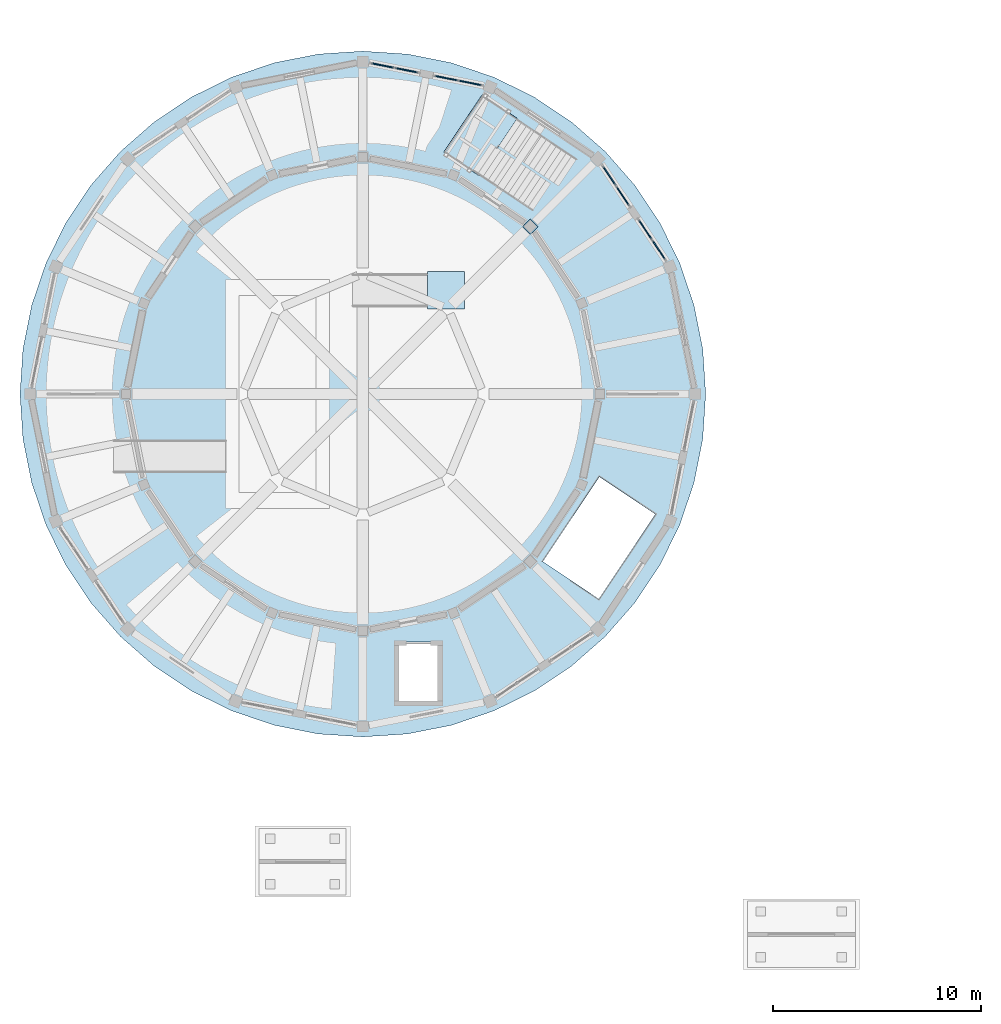
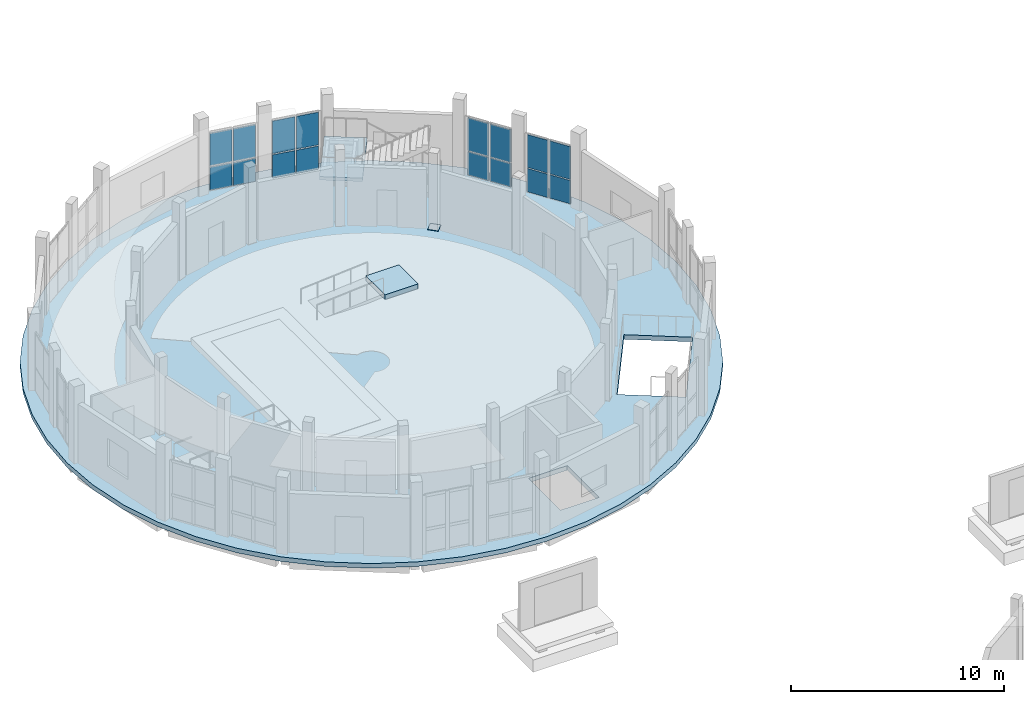
# One storey, part 55 of 92: 17 plates, 3 slabs, 5 elements without a shape of their own.
"""IFC4 building model written with IfcOpenShell, lengths in metres."""

from ifc_helpers import new_model, si_unit, direction, frame, origin, origin_2d, place, context, subcontext, project, spatial, polyline, rectangle, outline, extrude, material, layer, layer_set, type_object, element, aggregate, save


model = new_model("IFC4")

# Units and contexts
model_context = context("Model", 3, precision=1e-05, world=origin(), true_north=direction((0.0, 1.0)))
body_context = subcontext(model_context, "Body", "Model", "MODEL_VIEW")
ifc_project = project(units=[si_unit("LENGTHUNIT", "METRE"), si_unit("AREAUNIT", "SQUARE_METRE"), si_unit("VOLUMEUNIT", "CUBIC_METRE"), si_unit("PLANEANGLEUNIT", "RADIAN"), si_unit("MASSUNIT", "GRAM", prefix="KILO")], contexts=[model_context])

# Site, building, storey
site_placement = place(None, origin())
site = spatial("IfcSite", under=ifc_project, at=site_placement, CompositionType="ELEMENT")
building_placement = place(site_placement, origin())
building = spatial("IfcBuilding", under=site, at=building_placement, Name="Caldaven Crescent School", CompositionType="ELEMENT")
storey_placement = place(building_placement, origin())
storey = spatial("IfcBuildingStorey", under=building, at=storey_placement, Name="L00", CompositionType="ELEMENT", Elevation=0.0)

# Plate
ifc_material_1 = material(Name="Steel ASTM A572 Grade 50", Category="steel")
ifc_layer_1 = layer(ifc_material_1, 0.02001953125)
ifc_layer_set_1 = layer_set([ifc_layer_1], Name="Steel ASTM A572 Grade 50")
plate_type_1 = type_object("IfcPlateType", Name="PLT-BAS1", PredefinedType="SHEET", material=ifc_layer_set_1)
plate_1_placement = place(storey_placement, frame((31.56103515625, 106.56103515625, 0.0), z_axis=(0.0, 0.0, 1.0), x_axis=(0.707106781187, 0.707106781187, 0.0)))
element("IfcPlate", 1, at=plate_1_placement, inside=storey, type_object=plate_type_1, Name="PLT-BAS-V2-02", PredefinedType="SHEET", context=body_context, shape_type="SweptSolid", body=[
    extrude(rectangle(XDim=0.52001953125, YDim=0.52001953125, at=origin_2d()), origin(), (0.0, 0.0, 1.0), 0.02001953125),
])

# Curtain wall, plates
ifc_material_2 = material(Name="Anodised aluminium AA 6063-T6 and low-E double glazing", Category="aluminium")
ifc_layer_2 = layer(ifc_material_2, 0.18994140625)
ifc_layer_set_2 = layer_set([ifc_layer_2], Name="Anodised aluminium AA 6063-T6 and low-E double glazing")
curtain_wall_type_1 = type_object("IfcCurtainWallType", Name="CW-SYS2", PredefinedType="NOTDEFINED", material=ifc_layer_set_2)
curtain_wall_1_placement = place(storey_placement, origin())
curtain_wall_1 = element("IfcCurtainWall", 2, at=curtain_wall_1_placement, inside=storey, type_object=curtain_wall_type_1, Name="CW-L00-041", PredefinedType="NOTDEFINED")
ifc_material_3 = material(Name="Tempered low-E double glazing IGU", Category="glass")
ifc_layer_3 = layer(ifc_material_3, 0.06005859375)
ifc_layer_set_3 = layer_set([ifc_layer_3], Name="Tempered low-E double glazing IGU")
plate_type_2 = type_object("IfcPlateType", Name="PLT-CWP18", PredefinedType="CURTAIN_PANEL", material=ifc_layer_set_3)
plate_2_placement = place(storey_placement, frame((37.739501953125, 105.43505859375, 0.06005859375), z_axis=(0.0, 0.0, 1.0), x_axis=(-0.555569561758, 0.831470060825, 0.0)))
plate_2 = element("IfcPlate", 3, at=plate_2_placement, type_object=plate_type_2, Name="CW2 panel 1.1", PredefinedType="CURTAIN_PANEL", context=body_context, shape_type="SweptSolid", body=[
    extrude(rectangle(XDim=1.103271484375, YDim=0.06005859375, at=origin_2d()), origin(), (0.0, 0.0, 1.0), 1.337890625),
])
plate_3_placement = place(storey_placement, frame((37.739501953125, 105.43505859375, 1.4580078125), z_axis=(0.0, 0.0, 1.0), x_axis=(-0.555569561758, 0.831470060825, 0.0)))
plate_3 = element("IfcPlate", 4, at=plate_3_placement, type_object=plate_type_2, Name="CW2 panel 1.2", PredefinedType="CURTAIN_PANEL", context=body_context, shape_type="SweptSolid", body=[
    extrude(rectangle(XDim=1.103271484375, YDim=0.06005859375, at=origin_2d()), origin(), (0.0, 0.0, 1.0), 1.882080078125),
])
plate_4_placement = place(storey_placement, frame((37.090576171875, 106.40625, 0.06005859375), z_axis=(0.0, 0.0, 1.0), x_axis=(-0.555569561758, 0.831470060825, 0.0)))
plate_4 = element("IfcPlate", 5, at=plate_4_placement, type_object=plate_type_2, Name="CW2 panel 2.1", PredefinedType="CURTAIN_PANEL", context=body_context, shape_type="SweptSolid", body=[
    extrude(rectangle(XDim=1.103271484375, YDim=0.06005859375, at=origin_2d()), origin(), (0.0, 0.0, 1.0), 1.337890625),
])
plate_5_placement = place(storey_placement, frame((37.090576171875, 106.40625, 1.4580078125), z_axis=(0.0, 0.0, 1.0), x_axis=(-0.555569561758, 0.831470060825, 0.0)))
plate_5 = element("IfcPlate", 6, at=plate_5_placement, type_object=plate_type_2, Name="CW2 panel 2.2", PredefinedType="CURTAIN_PANEL", context=body_context, shape_type="SweptSolid", body=[
    extrude(rectangle(XDim=1.103271484375, YDim=0.06005859375, at=origin_2d()), origin(), (0.0, 0.0, 1.0), 1.882080078125),
])
aggregate(curtain_wall_1, [plate_2, plate_3, plate_4, plate_5])

ifc_layer_4 = layer(ifc_material_2, 0.2099609375)
ifc_layer_set_4 = layer_set([ifc_layer_4], Name="Anodised aluminium AA 6063-T6 and low-E double glazing")
curtain_wall_type_2 = type_object("IfcCurtainWallType", Name="CW-SYS3", PredefinedType="NOTDEFINED", material=ifc_layer_set_4)
curtain_wall_2_placement = place(storey_placement, origin())
curtain_wall_2 = element("IfcCurtainWall", 7, at=curtain_wall_2_placement, inside=storey, type_object=curtain_wall_type_2, Name="CW-L00-042", PredefinedType="NOTDEFINED")
ifc_material_4 = material(Name="Insulated bronze aluminium spandrel panel", Category="aluminium")
ifc_layer_5 = layer(ifc_material_4, 0.06201171875)
ifc_layer_set_5 = layer_set([ifc_layer_5], Name="Insulated bronze aluminium spandrel panel")
plate_type_3 = type_object("IfcPlateType", Name="PLT-CWP19", PredefinedType="CURTAIN_PANEL", material=ifc_layer_set_5)
plate_6_placement = place(storey_placement, frame((36.004638671875, 108.031494140625, 0.06494140625), z_axis=(0.0, 0.0, 1.0), x_axis=(-0.555572440609, 0.831468137234, 0.0)))
plate_6 = element("IfcPlate", 8, at=plate_6_placement, type_object=plate_type_3, Name="CW3 panel 1.1", PredefinedType="CURTAIN_PANEL", context=body_context, shape_type="SweptSolid", body=[
    extrude(rectangle(XDim=1.095703125, YDim=0.06201171875, at=origin_2d()), origin(), (0.0, 0.0, 1.0), 1.33056640625),
])
plate_7_placement = place(storey_placement, frame((36.004638671875, 108.031494140625, 1.46044921875), z_axis=(0.0, 0.0, 1.0), x_axis=(-0.555572440609, 0.831468137234, 0.0)))
plate_7 = element("IfcPlate", 9, at=plate_7_placement, type_object=plate_type_3, Name="CW3 panel 1.2", PredefinedType="CURTAIN_PANEL", context=body_context, shape_type="SweptSolid", body=[
    extrude(rectangle(XDim=1.095703125, YDim=0.06201171875, at=origin_2d()), origin(), (0.0, 0.0, 1.0), 1.87451171875),
])
plate_8_placement = place(storey_placement, frame((35.35693359375, 109.000732421875, 0.06494140625), z_axis=(0.0, 0.0, 1.0), x_axis=(-0.555572440609, 0.831468137234, 0.0)))
plate_8 = element("IfcPlate", 10, at=plate_8_placement, type_object=plate_type_3, Name="CW3 panel 2.1", PredefinedType="CURTAIN_PANEL", context=body_context, shape_type="SweptSolid", body=[
    extrude(rectangle(XDim=1.095703125, YDim=0.06201171875, at=origin_2d()), origin(), (0.0, 0.0, 1.0), 1.33056640625),
])
plate_9_placement = place(storey_placement, frame((35.35693359375, 109.000732421875, 1.46044921875), z_axis=(0.0, 0.0, 1.0), x_axis=(-0.555572440609, 0.831468137234, 0.0)))
plate_9 = element("IfcPlate", 11, at=plate_9_placement, type_object=plate_type_3, Name="CW3 panel 2.2", PredefinedType="CURTAIN_PANEL", context=body_context, shape_type="SweptSolid", body=[
    extrude(rectangle(XDim=1.095703125, YDim=0.06201171875, at=origin_2d()), origin(), (0.0, 0.0, 1.0), 1.87451171875),
])
aggregate(curtain_wall_2, [plate_6, plate_7, plate_8, plate_9])

ifc_layer_6 = layer(ifc_material_2, 0.22998046875)
ifc_layer_set_6 = layer_set([ifc_layer_6], Name="Anodised aluminium AA 6063-T6 and low-E double glazing")
curtain_wall_type_3 = type_object("IfcCurtainWallType", Name="CW-SYS4", PredefinedType="NOTDEFINED", material=ifc_layer_set_6)
curtain_wall_3_placement = place(storey_placement, origin())
curtain_wall_3 = element("IfcCurtainWall", 12, at=curtain_wall_3_placement, inside=storey, type_object=curtain_wall_type_3, Name="CW-L00-043", PredefinedType="NOTDEFINED")
ifc_layer_7 = layer(ifc_material_4, 0.06396484375)
ifc_layer_set_7 = layer_set([ifc_layer_7], Name="Insulated bronze aluminium spandrel panel")
plate_type_4 = type_object("IfcPlateType", Name="PLT-CWP20", PredefinedType="CURTAIN_PANEL", material=ifc_layer_set_7)
plate_10_placement = place(storey_placement, frame((28.666259765625, 113.472412109375, 0.06494140625), z_axis=(0.0, 0.0, 1.0), x_axis=(-0.980785941636, 0.195086997747, 0.0)))
plate_10 = element("IfcPlate", 13, at=plate_10_placement, type_object=plate_type_4, Name="CW4 panel 1.1", PredefinedType="CURTAIN_PANEL", context=body_context, shape_type="SweptSolid", body=[
    extrude(rectangle(XDim=1.11083984375, YDim=0.06396484375, at=origin_2d()), origin(), (0.0, 0.0, 1.0), 1.33056640625),
])
plate_11_placement = place(storey_placement, frame((28.666259765625, 113.472412109375, 1.46044921875), z_axis=(0.0, 0.0, 1.0), x_axis=(-0.980785941636, 0.195086997747, 0.0)))
plate_11 = element("IfcPlate", 14, at=plate_11_placement, type_object=plate_type_4, Name="CW4 panel 1.2", PredefinedType="CURTAIN_PANEL", context=body_context, shape_type="SweptSolid", body=[
    extrude(rectangle(XDim=1.11083984375, YDim=0.06396484375, at=origin_2d()), origin(), (0.0, 0.0, 1.0), 1.87451171875),
])
plate_12_placement = place(storey_placement, frame((27.51806640625, 113.70068359375, 0.06494140625), z_axis=(0.0, 0.0, 1.0), x_axis=(-0.980785941636, 0.195086997747, 0.0)))
plate_12 = element("IfcPlate", 15, at=plate_12_placement, type_object=plate_type_4, Name="CW4 panel 2.1", PredefinedType="CURTAIN_PANEL", context=body_context, shape_type="SweptSolid", body=[
    extrude(rectangle(XDim=1.11083984375, YDim=0.06396484375, at=origin_2d()), origin(), (0.0, 0.0, 1.0), 1.33056640625),
])
plate_13_placement = place(storey_placement, frame((27.51806640625, 113.70068359375, 1.46044921875), z_axis=(0.0, 0.0, 1.0), x_axis=(-0.980785941636, 0.195086997747, 0.0)))
plate_13 = element("IfcPlate", 16, at=plate_13_placement, type_object=plate_type_4, Name="CW4 panel 2.2", PredefinedType="CURTAIN_PANEL", context=body_context, shape_type="SweptSolid", body=[
    extrude(rectangle(XDim=1.11083984375, YDim=0.06396484375, at=origin_2d()), origin(), (0.0, 0.0, 1.0), 1.87451171875),
])
aggregate(curtain_wall_3, [plate_10, plate_11, plate_12, plate_13])

ifc_layer_8 = layer(ifc_material_2, 0.169921875)
ifc_layer_set_8 = layer_set([ifc_layer_8], Name="Anodised aluminium AA 6063-T6 and low-E double glazing")
curtain_wall_type_4 = type_object("IfcCurtainWallType", Name="CW-SYS1", PredefinedType="NOTDEFINED", material=ifc_layer_set_8)
curtain_wall_4_placement = place(storey_placement, origin())
curtain_wall_4 = element("IfcCurtainWall", 17, at=curtain_wall_4_placement, inside=storey, type_object=curtain_wall_type_4, Name="CW-L00-044", PredefinedType="NOTDEFINED")
ifc_layer_9 = layer(ifc_material_4, 0.06591796875)
ifc_layer_set_9 = layer_set([ifc_layer_9], Name="Insulated bronze aluminium spandrel panel")
plate_type_5 = type_object("IfcPlateType", Name="PLT-CWP21", PredefinedType="CURTAIN_PANEL", material=ifc_layer_set_9)
plate_14_placement = place(storey_placement, frame((25.603515625, 114.08154296875, 0.06982421875), z_axis=(0.0, 0.0, 1.0), x_axis=(-0.980785144861, 0.19509100343, 0.0)))
plate_14 = element("IfcPlate", 18, at=plate_14_placement, type_object=plate_type_5, Name="CW1 panel 1.1", PredefinedType="CURTAIN_PANEL", context=body_context, shape_type="SweptSolid", body=[
    extrude(rectangle(XDim=1.103271484375, YDim=0.06591796875, at=origin_2d()), origin(), (0.0, 0.0, 1.0), 1.322998046875),
])
plate_15_placement = place(storey_placement, frame((25.603515625, 114.08154296875, 1.462890625), z_axis=(0.0, 0.0, 1.0), x_axis=(-0.980785144861, 0.19509100343, 0.0)))
plate_15 = element("IfcPlate", 19, at=plate_15_placement, type_object=plate_type_5, Name="CW1 panel 1.2", PredefinedType="CURTAIN_PANEL", context=body_context, shape_type="SweptSolid", body=[
    extrude(rectangle(XDim=1.103271484375, YDim=0.06591796875, at=origin_2d()), origin(), (0.0, 0.0, 1.0), 1.866943359375),
])
plate_16_placement = place(storey_placement, frame((24.457763671875, 114.3095703125, 0.06982421875), z_axis=(0.0, 0.0, 1.0), x_axis=(-0.980785144861, 0.19509100343, 0.0)))
plate_16 = element("IfcPlate", 20, at=plate_16_placement, type_object=plate_type_5, Name="CW1 panel 2.1", PredefinedType="CURTAIN_PANEL", context=body_context, shape_type="SweptSolid", body=[
    extrude(rectangle(XDim=1.103271484375, YDim=0.06591796875, at=origin_2d()), origin(), (0.0, 0.0, 1.0), 1.322998046875),
])
plate_17_placement = place(storey_placement, frame((24.457763671875, 114.3095703125, 1.462890625), z_axis=(0.0, 0.0, 1.0), x_axis=(-0.980785144861, 0.19509100343, 0.0)))
plate_17 = element("IfcPlate", 21, at=plate_17_placement, type_object=plate_type_5, Name="CW1 panel 2.2", PredefinedType="CURTAIN_PANEL", context=body_context, shape_type="SweptSolid", body=[
    extrude(rectangle(XDim=1.103271484375, YDim=0.06591796875, at=origin_2d()), origin(), (0.0, 0.0, 1.0), 1.866943359375),
])
aggregate(curtain_wall_4, [plate_14, plate_15, plate_16, plate_17])

# Slab
ifc_material_5 = material(Name="Concrete C35/45", Category="concrete")
ifc_layer_10 = layer(ifc_material_5, 0.260009765625)
ifc_layer_set_10 = layer_set([ifc_layer_10], Name="Concrete C35/45")
slab_type_1 = type_object("IfcSlabType", Name="SLB-FS1", PredefinedType="FLOOR", material=ifc_layer_set_10)
slab_1_placement = place(storey_placement, frame((0.0, 0.0, -0.260009765625)))
element("IfcSlab", 22, at=slab_1_placement, inside=storey, type_object=slab_type_1, Name="SLB-V2-L00", PredefinedType="FLOOR", context=body_context, shape_type="SweptSolid", body=[
    extrude(outline(polyline([(40.0, 98.5), (39.85888671875, 100.653564453125), (39.437744140625, 102.7705078125), (38.743896484375, 104.814208984375), (37.789306640625, 106.75), (36.59033203125, 108.544677734375), (35.167236328125, 110.167236328125), (33.544677734375, 111.59033203125), (31.75, 112.789306640625), (29.814208984375, 113.743896484375), (27.7705078125, 114.437744140625), (25.653564453125, 114.85888671875), (23.5, 115.0), (21.346435546875, 114.85888671875), (19.2294921875, 114.437744140625), (17.185791015625, 113.743896484375), (15.25, 112.789306640625), (13.455322265625, 111.59033203125), (11.832763671875, 110.167236328125), (10.40966796875, 108.544677734375), (9.210693359375, 106.75), (8.256103515625, 104.814208984375), (7.562255859375, 102.7705078125), (7.14111328125, 100.653564453125), (7.0, 98.5), (7.14111328125, 96.346435546875), (7.562255859375, 94.2294921875), (8.256103515625, 92.185791015625), (9.210693359375, 90.25), (10.40966796875, 88.455322265625), (11.832763671875, 86.832763671875), (13.455322265625, 85.40966796875), (15.25, 84.210693359375), (17.185791015625, 83.256103515625), (19.2294921875, 82.562255859375), (21.346435546875, 82.14111328125), (23.5, 82.0), (25.653564453125, 82.14111328125), (27.7705078125, 82.562255859375), (29.814208984375, 83.256103515625), (31.75, 84.210693359375), (33.544677734375, 85.40966796875), (35.167236328125, 86.832763671875), (36.59033203125, 88.455322265625), (37.789306640625, 90.25), (38.743896484375, 92.185791015625), (39.437744140625, 94.2294921875), (39.85888671875, 96.346435546875), (40.0, 98.5)]), holes=[polyline([(25.122802734375, 83.563232421875), (25.122802734375, 86.563232421875), (27.22265625, 86.563232421875), (27.22265625, 83.563232421875), (25.122802734375, 83.563232421875)]), polyline([(34.8544921875, 88.6376953125), (32.160400390625, 90.437744140625), (34.8837890625, 94.513671875), (37.577880859375, 92.713623046875), (34.8544921875, 88.6376953125)])]), origin(), (0.0, 0.0, 1.0), 0.260009765625),
])

# Stair, slab
ifc_material_6 = material(Name="Precast concrete C30/37", Category="concrete")
stair_type = type_object("IfcStairType", Name="STR-S4", PredefinedType="TWO_STRAIGHT_RUN_STAIR", material=ifc_material_6)
stair_placement = place(storey_placement, origin())
stair = element("IfcStair", 23, at=stair_placement, inside=storey, type_object=stair_type, Name="STAIR-STV2-L00", PredefinedType="TWO_STRAIGHT_RUN_STAIR")
ifc_material_7 = material(Name="Concrete C30/37", Category="concrete")
ifc_layer_11 = layer(ifc_material_7, 0.195068359375)
ifc_layer_set_11 = layer_set([ifc_layer_11], Name="Concrete C30/37")
slab_type_2 = type_object("IfcSlabType", Name="SLB-LND2", PredefinedType="LANDING", material=ifc_layer_set_11)
slab_2_placement = place(storey_placement, frame((0.0, 0.0, 2.014892578125)))
slab_2 = element("IfcSlab", 24, at=slab_2_placement, type_object=slab_type_2, Name="STV2-L00 landing 1", PredefinedType="LANDING", context=body_context, shape_type="SweptSolid", body=[
    extrude(outline(polyline([(30.931396484375, 111.767333984375), (29.23681640625, 112.899658203125), (27.392333984375, 110.13916015625), (29.0869140625, 109.0068359375), (30.931396484375, 111.767333984375)])), origin(), (0.0, 0.0, 1.0), 0.195068359375),
])
aggregate(stair, [slab_2])

# Slab
ifc_layer_12 = layer(ifc_material_7, 0.280029296875)
ifc_layer_set_12 = layer_set([ifc_layer_12], Name="Concrete C30/37")
slab_type_3 = type_object("IfcSlabType", Name="SLB-STG", PredefinedType="FLOOR", material=ifc_layer_set_12)
slab_3_placement = place(storey_placement, origin())
element("IfcSlab", 25, at=slab_3_placement, inside=storey, type_object=slab_type_3, Name="SLB-PLINTH-RMP2", PredefinedType="FLOOR", context=body_context, shape_type="SweptSolid", body=[
    extrude(outline(polyline([(26.60009765625, 102.60009765625), (28.39990234375, 102.60009765625), (28.39990234375, 104.39990234375), (26.60009765625, 104.39990234375), (26.60009765625, 102.60009765625)])), origin(), (0.0, 0.0, 1.0), 0.280029296875),
])

save(model, "model.ifc")
